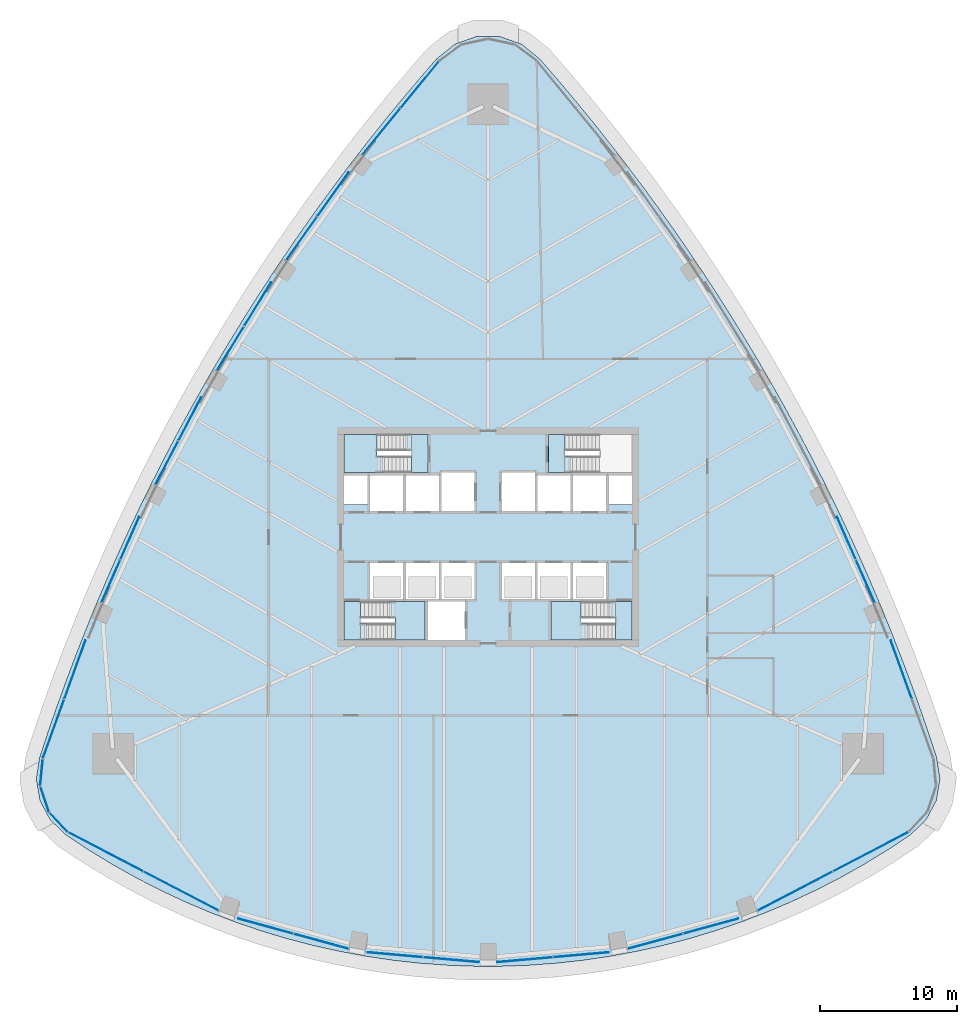
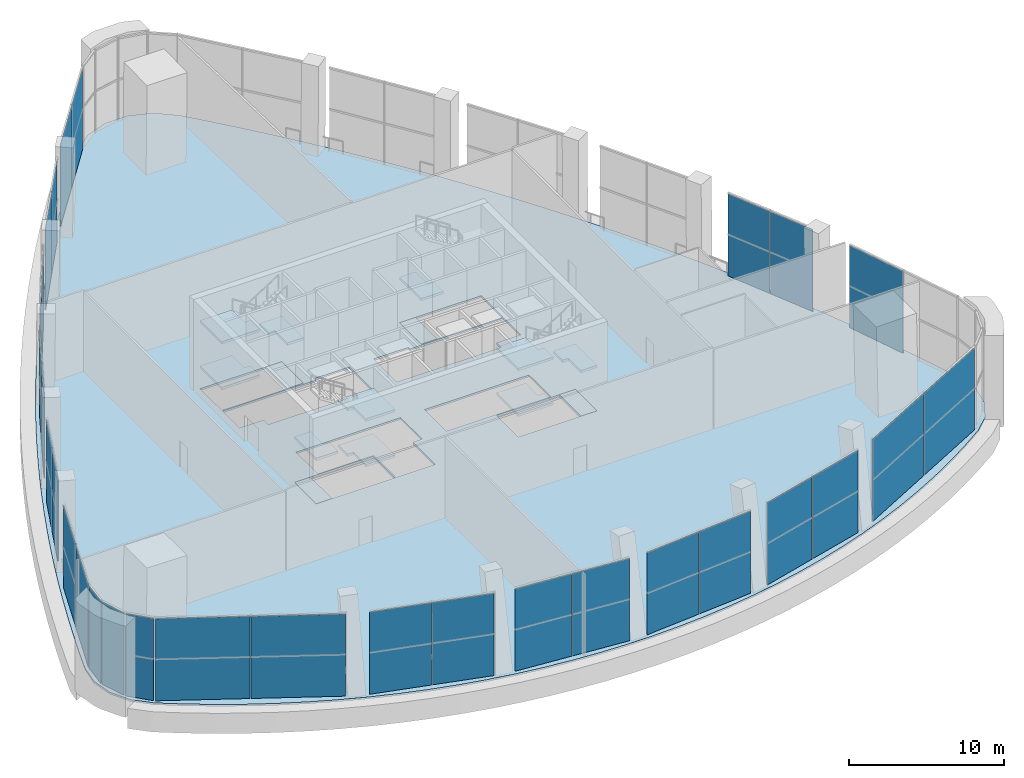
# One storey, part 11 of 23: 30 plates, 15 slabs, 21 elements without a shape of their own.
"""IFC4 building model written with IfcOpenShell, lengths in metres."""

from ifc_helpers import new_model, si_unit, direction, frame, origin, origin_2d, place, context, subcontext, project, spatial, polyline, rectangle, outline, extrude, material, layer, layer_set, type_object, element, aggregate, save


model = new_model("IFC4")

# Units and contexts
model_context = context("Model", 3, precision=1e-05, world=origin(), true_north=direction((0.0, 1.0)))
body_context = subcontext(model_context, "Body", "Model", "MODEL_VIEW")
ifc_project = project(units=[si_unit("LENGTHUNIT", "METRE"), si_unit("AREAUNIT", "SQUARE_METRE"), si_unit("VOLUMEUNIT", "CUBIC_METRE"), si_unit("PLANEANGLEUNIT", "RADIAN"), si_unit("MASSUNIT", "GRAM", prefix="KILO")], contexts=[model_context])

# Site, building, storey
site_placement = place(None, origin())
site = spatial("IfcSite", under=ifc_project, at=site_placement, CompositionType="ELEMENT")
building_placement = place(site_placement, origin())
building = spatial("IfcBuilding", under=site, at=building_placement, Name="Sierra Prisma Convention Tower", CompositionType="ELEMENT")
storey_placement = place(building_placement, frame((0.0, 0.0, 40.800048828125)))
storey = spatial("IfcBuildingStorey", under=building, at=storey_placement, Name="L06", CompositionType="ELEMENT", Elevation=40.800048828125)

# Curtain wall, plates
ifc_material_1 = material(Name="Aluminium and glass curtain wall", Category="aluminium")
ifc_layer_1 = layer(ifc_material_1, 0.179931640625)
ifc_layer_set_1 = layer_set([ifc_layer_1], Name="CW-4 Sky lobby double-height curtain wall")
curtain_wall_type = type_object("IfcCurtainWallType", Name="CW-4 Sky lobby double-height curtain wall", PredefinedType="NOTDEFINED", material=ifc_layer_set_1)
curtain_wall_1_placement = place(storey_placement, origin())
curtain_wall_1 = element("IfcCurtainWall", 1, at=curtain_wall_1_placement, inside=storey, type_object=curtain_wall_type, Name="CW-4 S1 L06", PredefinedType="NOTDEFINED")
ifc_material_2 = material(Name="Tinted glass bronze-grey IGU", Category="glass")
ifc_layer_2 = layer(ifc_material_2, 0.035888671875)
ifc_layer_set_2 = layer_set([ifc_layer_2], Name="CW-4 glass panel")
plate_type = type_object("IfcPlateType", Name="CW-4 glass panel", PredefinedType="CURTAIN_PANEL", material=ifc_layer_set_2)
plate_1_placement = place(storey_placement, frame((-27.876953125, -22.951416015625, 0.0), z_axis=(0.0, 0.0, 1.0), x_axis=(0.886801433205, -0.462150644342, 0.0)))
plate_1 = element("IfcPlate", 2, at=plate_1_placement, type_object=plate_type, Name="CW-4 panel S1.1", PredefinedType="CURTAIN_PANEL", context=body_context, shape_type="SweptSolid", body=[
    extrude(rectangle(XDim=6.1103515625, YDim=0.035888671875, at=origin_2d()), origin(), (0.0, 0.0, 1.0), 6.47998046875),
])
plate_2_placement = place(storey_placement, frame((-22.39599609375, -25.8076171875, 0.0), z_axis=(0.0, 0.0, 1.0), x_axis=(0.886801433205, -0.462150644342, 0.0)))
plate_2 = element("IfcPlate", 3, at=plate_2_placement, type_object=plate_type, Name="CW-4 panel S1.2", PredefinedType="CURTAIN_PANEL", context=body_context, shape_type="SweptSolid", body=[
    extrude(rectangle(XDim=6.1103515625, YDim=0.035888671875, at=origin_2d()), origin(), (0.0, 0.0, 1.0), 6.47998046875),
])
aggregate(curtain_wall_1, [plate_1, plate_2])

curtain_wall_2_placement = place(storey_placement, origin())
curtain_wall_2 = element("IfcCurtainWall", 4, at=curtain_wall_2_placement, inside=storey, type_object=curtain_wall_type, Name="CW-4 S2 L06", PredefinedType="NOTDEFINED")
plate_3_placement = place(storey_placement, frame((-16.235595703125, -28.364013671875, 0.0), z_axis=(0.0, 0.0, 1.0), x_axis=(0.96467129035, -0.263456451003, 0.0)))
plate_3 = element("IfcPlate", 5, at=plate_3_placement, type_object=plate_type, Name="CW-4 panel S2.1", PredefinedType="CURTAIN_PANEL", context=body_context, shape_type="SweptSolid", body=[
    extrude(rectangle(XDim=4.1279296875, YDim=0.035888671875, at=origin_2d()), origin(), (0.0, 0.0, 1.0), 6.47998046875),
])
plate_4_placement = place(storey_placement, frame((-12.18603515625, -29.469970703125, 0.0), z_axis=(0.0, 0.0, 1.0), x_axis=(0.96467129035, -0.263456451003, 0.0)))
plate_4 = element("IfcPlate", 6, at=plate_4_placement, type_object=plate_type, Name="CW-4 panel S2.2", PredefinedType="CURTAIN_PANEL", context=body_context, shape_type="SweptSolid", body=[
    extrude(rectangle(XDim=4.1279296875, YDim=0.035888671875, at=origin_2d()), origin(), (0.0, 0.0, 1.0), 6.47998046875),
])
aggregate(curtain_wall_2, [plate_3, plate_4])

curtain_wall_3_placement = place(storey_placement, origin())
curtain_wall_3 = element("IfcCurtainWall", 7, at=curtain_wall_3_placement, inside=storey, type_object=curtain_wall_type, Name="CW-4 S3 L06", PredefinedType="NOTDEFINED")
plate_5_placement = place(storey_placement, frame((-6.7763671875, -30.451904296875, 0.0), z_axis=(0.0, 0.0, 1.0), x_axis=(0.996127033281, -0.087925727556, 0.0)))
plate_5 = element("IfcPlate", 8, at=plate_5_placement, type_object=plate_type, Name="CW-4 panel S3.1", PredefinedType="CURTAIN_PANEL", context=body_context, shape_type="SweptSolid", body=[
    extrude(rectangle(XDim=4.041748046875, YDim=0.035888671875, at=origin_2d()), origin(), (0.0, 0.0, 1.0), 6.47998046875),
])
plate_6_placement = place(storey_placement, frame((-2.680419921875, -30.8134765625, 0.0), z_axis=(0.0, 0.0, 1.0), x_axis=(0.996127033281, -0.087925727556, 0.0)))
plate_6 = element("IfcPlate", 9, at=plate_6_placement, type_object=plate_type, Name="CW-4 panel S3.2", PredefinedType="CURTAIN_PANEL", context=body_context, shape_type="SweptSolid", body=[
    extrude(rectangle(XDim=4.041748046875, YDim=0.035888671875, at=origin_2d()), origin(), (0.0, 0.0, 1.0), 6.47998046875),
])
aggregate(curtain_wall_3, [plate_5, plate_6])

curtain_wall_4_placement = place(storey_placement, origin())
curtain_wall_4 = element("IfcCurtainWall", 10, at=curtain_wall_4_placement, inside=storey, type_object=curtain_wall_type, Name="CW-4 S4 L06", PredefinedType="NOTDEFINED")
plate_7_placement = place(storey_placement, frame((2.680419921875, -30.8134765625, 0.0), z_axis=(0.0, 0.0, 1.0), x_axis=(0.996127033281, 0.087925727556, 0.0)))
plate_7 = element("IfcPlate", 11, at=plate_7_placement, type_object=plate_type, Name="CW-4 panel S4.1", PredefinedType="CURTAIN_PANEL", context=body_context, shape_type="SweptSolid", body=[
    extrude(rectangle(XDim=4.041748046875, YDim=0.035888671875, at=origin_2d()), origin(), (0.0, 0.0, 1.0), 6.47998046875),
])
plate_8_placement = place(storey_placement, frame((6.7763671875, -30.451904296875, 0.0), z_axis=(0.0, 0.0, 1.0), x_axis=(0.996127033281, 0.087925727556, 0.0)))
plate_8 = element("IfcPlate", 12, at=plate_8_placement, type_object=plate_type, Name="CW-4 panel S4.2", PredefinedType="CURTAIN_PANEL", context=body_context, shape_type="SweptSolid", body=[
    extrude(rectangle(XDim=4.041748046875, YDim=0.035888671875, at=origin_2d()), origin(), (0.0, 0.0, 1.0), 6.47998046875),
])
aggregate(curtain_wall_4, [plate_7, plate_8])

curtain_wall_5_placement = place(storey_placement, origin())
curtain_wall_5 = element("IfcCurtainWall", 13, at=curtain_wall_5_placement, inside=storey, type_object=curtain_wall_type, Name="CW-4 S5 L06", PredefinedType="NOTDEFINED")
plate_9_placement = place(storey_placement, frame((12.18603515625, -29.469970703125, 0.0), z_axis=(0.0, 0.0, 1.0), x_axis=(0.96467129035, 0.263456451003, 0.0)))
plate_9 = element("IfcPlate", 14, at=plate_9_placement, type_object=plate_type, Name="CW-4 panel S5.1", PredefinedType="CURTAIN_PANEL", context=body_context, shape_type="SweptSolid", body=[
    extrude(rectangle(XDim=4.1279296875, YDim=0.035888671875, at=origin_2d()), origin(), (0.0, 0.0, 1.0), 6.47998046875),
])
plate_10_placement = place(storey_placement, frame((16.235595703125, -28.364013671875, 0.0), z_axis=(0.0, 0.0, 1.0), x_axis=(0.96467129035, 0.263456451003, 0.0)))
plate_10 = element("IfcPlate", 15, at=plate_10_placement, type_object=plate_type, Name="CW-4 panel S5.2", PredefinedType="CURTAIN_PANEL", context=body_context, shape_type="SweptSolid", body=[
    extrude(rectangle(XDim=4.1279296875, YDim=0.035888671875, at=origin_2d()), origin(), (0.0, 0.0, 1.0), 6.47998046875),
])
aggregate(curtain_wall_5, [plate_9, plate_10])

curtain_wall_6_placement = place(storey_placement, origin())
curtain_wall_6 = element("IfcCurtainWall", 16, at=curtain_wall_6_placement, inside=storey, type_object=curtain_wall_type, Name="CW-4 S6 L06", PredefinedType="NOTDEFINED")
plate_11_placement = place(storey_placement, frame((22.390869140625, -25.810302734375, 0.0), z_axis=(0.0, 0.0, 1.0), x_axis=(0.886801433205, 0.462150644342, 0.0)))
plate_11 = element("IfcPlate", 17, at=plate_11_placement, type_object=plate_type, Name="CW-4 panel S6.1", PredefinedType="CURTAIN_PANEL", context=body_context, shape_type="SweptSolid", body=[
    extrude(rectangle(XDim=6.1142578125, YDim=0.035888671875, at=origin_2d()), origin(), (0.0, 0.0, 1.0), 6.47998046875),
])
plate_12_placement = place(storey_placement, frame((27.875244140625, -22.9521484375, 0.0), z_axis=(0.0, 0.0, 1.0), x_axis=(0.886801433205, 0.462150644342, 0.0)))
plate_12 = element("IfcPlate", 18, at=plate_12_placement, type_object=plate_type, Name="CW-4 panel S6.2", PredefinedType="CURTAIN_PANEL", context=body_context, shape_type="SweptSolid", body=[
    extrude(rectangle(XDim=6.1142578125, YDim=0.035888671875, at=origin_2d()), origin(), (0.0, 0.0, 1.0), 6.47998046875),
])
aggregate(curtain_wall_6, [plate_11, plate_12])

# Curtain wall, plate
curtain_wall_7_placement = place(storey_placement, origin())
curtain_wall_7 = element("IfcCurtainWall", 19, at=curtain_wall_7_placement, inside=storey, type_object=curtain_wall_type, Name="CW-4 NE1 L06", PredefinedType="NOTDEFINED")
plate_13_placement = place(storey_placement, frame((30.12841796875, -9.6513671875, 0.0), z_axis=(0.0, 0.0, 1.0), x_axis=(-0.339853190115, 0.94047850011, 0.0)))
plate_13 = element("IfcPlate", 20, at=plate_13_placement, type_object=plate_type, Name="CW-4 panel NE1.2", PredefinedType="CURTAIN_PANEL", context=body_context, shape_type="SweptSolid", body=[
    extrude(rectangle(XDim=4.502685546875, YDim=0.035888671875, at=origin_2d()), origin(), (0.0, 0.0, 1.0), 6.47998046875),
])
aggregate(curtain_wall_7, [plate_13])

# Curtain wall, plates
curtain_wall_8_placement = place(storey_placement, origin())
curtain_wall_8 = element("IfcCurtainWall", 21, at=curtain_wall_8_placement, inside=storey, type_object=curtain_wall_type, Name="CW-4 NE2 L06", PredefinedType="NOTDEFINED")
plate_14_placement = place(storey_placement, frame((27.51171875, -3.21630859375, 0.0), z_axis=(0.0, 0.0, 1.0), x_axis=(-0.40298376544, 0.915207126716, 0.0)))
plate_14 = element("IfcPlate", 22, at=plate_14_placement, type_object=plate_type, Name="CW-4 panel NE2.1", PredefinedType="CURTAIN_PANEL", context=body_context, shape_type="SweptSolid", body=[
    extrude(rectangle(XDim=3.364013671875, YDim=0.035888671875, at=origin_2d()), origin(), (0.0, 0.0, 1.0), 6.47998046875),
])
plate_15_placement = place(storey_placement, frame((26.1279296875, -0.0732421875, 0.0), z_axis=(0.0, 0.0, 1.0), x_axis=(-0.40298376544, 0.915207126716, 0.0)))
plate_15 = element("IfcPlate", 23, at=plate_15_placement, type_object=plate_type, Name="CW-4 panel NE2.2", PredefinedType="CURTAIN_PANEL", context=body_context, shape_type="SweptSolid", body=[
    extrude(rectangle(XDim=3.364013671875, YDim=0.035888671875, at=origin_2d()), origin(), (0.0, 0.0, 1.0), 6.47998046875),
])
aggregate(curtain_wall_8, [plate_14, plate_15])

curtain_wall_9_placement = place(storey_placement, origin())
curtain_wall_9 = element("IfcCurtainWall", 24, at=curtain_wall_9_placement, inside=storey, type_object=curtain_wall_type, Name="CW-4 NW1 L06", PredefinedType="NOTDEFINED")
plate_16_placement = place(storey_placement, frame((-4.99169921875, 32.986572265625, 0.0), z_axis=(0.0, 0.0, 1.0), x_axis=(-0.634089483996, -0.773259675844, 0.0)))
plate_16 = element("IfcPlate", 25, at=plate_16_placement, type_object=plate_type, Name="CW-4 panel NW1.1", PredefinedType="CURTAIN_PANEL", context=body_context, shape_type="SweptSolid", body=[
    extrude(rectangle(XDim=4.348876953125, YDim=0.035888671875, at=origin_2d()), origin(), (0.0, 0.0, 1.0), 6.47998046875),
])
plate_17_placement = place(storey_placement, frame((-7.79345703125, 29.569580078125, 0.0), z_axis=(0.0, 0.0, 1.0), x_axis=(-0.634089483996, -0.773259675844, 0.0)))
plate_17 = element("IfcPlate", 26, at=plate_17_placement, type_object=plate_type, Name="CW-4 panel NW1.2", PredefinedType="CURTAIN_PANEL", context=body_context, shape_type="SweptSolid", body=[
    extrude(rectangle(XDim=4.348876953125, YDim=0.035888671875, at=origin_2d()), origin(), (0.0, 0.0, 1.0), 6.47998046875),
])
aggregate(curtain_wall_9, [plate_16, plate_17])

curtain_wall_10_placement = place(storey_placement, origin())
curtain_wall_10 = element("IfcCurtainWall", 27, at=curtain_wall_10_placement, inside=storey, type_object=curtain_wall_type, Name="CW-4 NW2 L06", PredefinedType="NOTDEFINED")
plate_18_placement = place(storey_placement, frame((-11.307861328125, 25.00390625, 0.0), z_axis=(0.0, 0.0, 1.0), x_axis=(-0.580071541824, -0.814565532272, 0.0)))
plate_18 = element("IfcPlate", 28, at=plate_18_placement, type_object=plate_type, Name="CW-4 panel NW2.1", PredefinedType="CURTAIN_PANEL", context=body_context, shape_type="SweptSolid", body=[
    extrude(rectangle(XDim=3.88525390625, YDim=0.035888671875, at=origin_2d()), origin(), (0.0, 0.0, 1.0), 6.47998046875),
])
plate_19_placement = place(storey_placement, frame((-13.60205078125, 21.7822265625, 0.0), z_axis=(0.0, 0.0, 1.0), x_axis=(-0.580071541824, -0.814565532272, 0.0)))
plate_19 = element("IfcPlate", 29, at=plate_19_placement, type_object=plate_type, Name="CW-4 panel NW2.2", PredefinedType="CURTAIN_PANEL", context=body_context, shape_type="SweptSolid", body=[
    extrude(rectangle(XDim=3.88525390625, YDim=0.035888671875, at=origin_2d()), origin(), (0.0, 0.0, 1.0), 6.47998046875),
])
aggregate(curtain_wall_10, [plate_18, plate_19])

curtain_wall_11_placement = place(storey_placement, origin())
curtain_wall_11 = element("IfcCurtainWall", 30, at=curtain_wall_11_placement, inside=storey, type_object=curtain_wall_type, Name="CW-4 NW3 L06", PredefinedType="NOTDEFINED")
plate_20_placement = place(storey_placement, frame((-16.810546875, 16.980224609375, 0.0), z_axis=(0.0, 0.0, 1.0), x_axis=(-0.523371283962, -0.852104746568, 0.0)))
plate_20 = element("IfcPlate", 31, at=plate_20_placement, type_object=plate_type, Name="CW-4 panel NW3.1", PredefinedType="CURTAIN_PANEL", context=body_context, shape_type="SweptSolid", body=[
    extrude(rectangle(XDim=3.721435546875, YDim=0.035888671875, at=origin_2d()), origin(), (0.0, 0.0, 1.0), 6.47998046875),
])
plate_21_placement = place(storey_placement, frame((-18.794921875, 13.74951171875, 0.0), z_axis=(0.0, 0.0, 1.0), x_axis=(-0.523371283962, -0.852104746568, 0.0)))
plate_21 = element("IfcPlate", 32, at=plate_21_placement, type_object=plate_type, Name="CW-4 panel NW3.2", PredefinedType="CURTAIN_PANEL", context=body_context, shape_type="SweptSolid", body=[
    extrude(rectangle(XDim=3.721435546875, YDim=0.035888671875, at=origin_2d()), origin(), (0.0, 0.0, 1.0), 6.47998046875),
])
aggregate(curtain_wall_11, [plate_20, plate_21])

curtain_wall_12_placement = place(storey_placement, origin())
curtain_wall_12 = element("IfcCurtainWall", 33, at=curtain_wall_12_placement, inside=storey, type_object=curtain_wall_type, Name="CW-4 NW4 L06", PredefinedType="NOTDEFINED")
plate_22_placement = place(storey_placement, frame((-21.75634765625, 8.611083984375, 0.0), z_axis=(0.0, 0.0, 1.0), x_axis=(-0.464250898742, -0.885703733207, 0.0)))
plate_22 = element("IfcPlate", 34, at=plate_22_placement, type_object=plate_type, Name="CW-4 panel NW4.1", PredefinedType="CURTAIN_PANEL", context=body_context, shape_type="SweptSolid", body=[
    extrude(rectangle(XDim=3.54150390625, YDim=0.035888671875, at=origin_2d()), origin(), (0.0, 0.0, 1.0), 6.47998046875),
])
plate_23_placement = place(storey_placement, frame((-23.432861328125, 5.41259765625, 0.0), z_axis=(0.0, 0.0, 1.0), x_axis=(-0.464250898742, -0.885703733207, 0.0)))
plate_23 = element("IfcPlate", 35, at=plate_23_placement, type_object=plate_type, Name="CW-4 panel NW4.2", PredefinedType="CURTAIN_PANEL", context=body_context, shape_type="SweptSolid", body=[
    extrude(rectangle(XDim=3.54150390625, YDim=0.035888671875, at=origin_2d()), origin(), (0.0, 0.0, 1.0), 6.47998046875),
])
aggregate(curtain_wall_12, [plate_22, plate_23])

curtain_wall_13_placement = place(storey_placement, origin())
curtain_wall_13 = element("IfcCurtainWall", 36, at=curtain_wall_13_placement, inside=storey, type_object=curtain_wall_type, Name="CW-4 NW5 L06", PredefinedType="NOTDEFINED")
plate_24_placement = place(storey_placement, frame((-26.12744140625, -0.072021484375, 0.0), z_axis=(0.0, 0.0, 1.0), x_axis=(-0.40298376544, -0.915207126716, 0.0)))
plate_24 = element("IfcPlate", 37, at=plate_24_placement, type_object=plate_type, Name="CW-4 panel NW5.1", PredefinedType="CURTAIN_PANEL", context=body_context, shape_type="SweptSolid", body=[
    extrude(rectangle(XDim=3.361572265625, YDim=0.035888671875, at=origin_2d()), origin(), (0.0, 0.0, 1.0), 6.47998046875),
])
plate_25_placement = place(storey_placement, frame((-27.51025390625, -3.212646484375, 0.0), z_axis=(0.0, 0.0, 1.0), x_axis=(-0.40298376544, -0.915207126716, 0.0)))
plate_25 = element("IfcPlate", 38, at=plate_25_placement, type_object=plate_type, Name="CW-4 panel NW5.2", PredefinedType="CURTAIN_PANEL", context=body_context, shape_type="SweptSolid", body=[
    extrude(rectangle(XDim=3.361572265625, YDim=0.035888671875, at=origin_2d()), origin(), (0.0, 0.0, 1.0), 6.47998046875),
])
aggregate(curtain_wall_13, [plate_24, plate_25])

curtain_wall_14_placement = place(storey_placement, origin())
curtain_wall_14 = element("IfcCurtainWall", 39, at=curtain_wall_14_placement, inside=storey, type_object=curtain_wall_type, Name="CW-4 NW6 L06", PredefinedType="NOTDEFINED")
plate_26_placement = place(storey_placement, frame((-30.12841796875, -9.6513671875, 0.0), z_axis=(0.0, 0.0, 1.0), x_axis=(-0.339853190115, -0.94047850011, 0.0)))
plate_26 = element("IfcPlate", 40, at=plate_26_placement, type_object=plate_type, Name="CW-4 panel NW6.1", PredefinedType="CURTAIN_PANEL", context=body_context, shape_type="SweptSolid", body=[
    extrude(rectangle(XDim=4.502685546875, YDim=0.035888671875, at=origin_2d()), origin(), (0.0, 0.0, 1.0), 6.47998046875),
])
plate_27_placement = place(storey_placement, frame((-31.682373046875, -13.951904296875, 0.0), z_axis=(0.0, 0.0, 1.0), x_axis=(-0.339853190115, -0.94047850011, 0.0)))
plate_27 = element("IfcPlate", 41, at=plate_27_placement, type_object=plate_type, Name="CW-4 panel NW6.2", PredefinedType="CURTAIN_PANEL", context=body_context, shape_type="SweptSolid", body=[
    extrude(rectangle(XDim=4.502685546875, YDim=0.035888671875, at=origin_2d()), origin(), (0.0, 0.0, 1.0), 6.47998046875),
])
aggregate(curtain_wall_14, [plate_26, plate_27])

# Curtain wall, plate
curtain_wall_15_placement = place(storey_placement, origin())
curtain_wall_15 = element("IfcCurtainWall", 42, at=curtain_wall_15_placement, inside=storey, type_object=curtain_wall_type, Name="CW-4 SW1 L06", PredefinedType="NOTDEFINED")
plate_28_placement = place(storey_placement, frame((-32.5712890625, -17.1357421875, 0.0), z_axis=(0.0, 0.0, 1.0), x_axis=(-0.099283218322, -0.995059215605, 0.0)))
plate_28 = element("IfcPlate", 43, at=plate_28_placement, type_object=plate_type, Name="CW-4 panel SW1.1", PredefinedType="CURTAIN_PANEL", context=body_context, shape_type="SweptSolid", body=[
    extrude(rectangle(XDim=1.87109375, YDim=0.035888671875, at=origin_2d()), origin(), (0.0, 0.0, 1.0), 6.47998046875),
])
aggregate(curtain_wall_15, [plate_28])

curtain_wall_16_placement = place(storey_placement, origin())
curtain_wall_16 = element("IfcCurtainWall", 44, at=curtain_wall_16_placement, inside=storey, type_object=curtain_wall_type, Name="CW-4 SW2 L06", PredefinedType="NOTDEFINED")
plate_29_placement = place(storey_placement, frame((-32.347900390625, -19.088623046875, 0.0), z_axis=(0.0, 0.0, 1.0), x_axis=(0.321361109945, -0.94695672394, 0.0)))
plate_29 = element("IfcPlate", 45, at=plate_29_placement, type_object=plate_type, Name="CW-4 panel SW2.1", PredefinedType="CURTAIN_PANEL", context=body_context, shape_type="SweptSolid", body=[
    extrude(rectangle(XDim=1.87109375, YDim=0.035888671875, at=origin_2d()), origin(), (0.0, 0.0, 1.0), 6.47998046875),
])
aggregate(curtain_wall_16, [plate_29])

curtain_wall_17_placement = place(storey_placement, origin())
curtain_wall_17 = element("IfcCurtainWall", 46, at=curtain_wall_17_placement, inside=storey, type_object=curtain_wall_type, Name="CW-4 SW3 L06", PredefinedType="NOTDEFINED")
plate_30_placement = place(storey_placement, frame((-31.33642578125, -20.77392578125, 0.0), z_axis=(0.0, 0.0, 1.0), x_axis=(0.684399691573, -0.729107030671, 0.0)))
plate_30 = element("IfcPlate", 47, at=plate_30_placement, type_object=plate_type, Name="CW-4 panel SW3.1", PredefinedType="CURTAIN_PANEL", context=body_context, shape_type="SweptSolid", body=[
    extrude(rectangle(XDim=1.87109375, YDim=0.035888671875, at=origin_2d()), origin(), (0.0, 0.0, 1.0), 6.47998046875),
])
aggregate(curtain_wall_17, [plate_30])

# Slab
ifc_material_3 = material(Name="Concrete C35/45", Category="concrete")
ifc_layer_3 = layer(ifc_material_3, 0.14990234375)
ifc_layer_set_3 = layer_set([ifc_layer_3], Name="Composite floor slab 150")
slab_type_1 = type_object("IfcSlabType", Name="Composite floor slab 150", PredefinedType="FLOOR", material=ifc_layer_set_3)
slab_1_placement = place(storey_placement, frame((0.0, 0.0, -0.150146484375)))
element("IfcSlab", 48, at=slab_1_placement, inside=storey, type_object=slab_type_1, Name="Floor slab L06 floor", PredefinedType="FLOOR", context=body_context, shape_type="SweptSolid", body=[
    extrude(outline(polyline([(-30.790283203125, -21.712890625), (-29.136474609375, -22.809326171875), (-27.443359375, -23.844482421875), (-25.7138671875, -24.817138671875), (-23.94970703125, -25.725830078125), (-22.153564453125, -26.5693359375), (-20.327880859375, -27.346435546875), (-18.474853515625, -28.056396484375), (-16.59716796875, -28.697998046875), (-14.697265625, -29.270751953125), (-12.777587890625, -29.7734375), (-10.8408203125, -30.20556640625), (-8.8896484375, -30.56640625), (-6.926513671875, -30.85595703125), (-4.9541015625, -31.0732421875), (-2.97509765625, -31.21826171875), (-0.9921875, -31.291015625), (0.9921875, -31.291015625), (2.97509765625, -31.21826171875), (4.9541015625, -31.0732421875), (6.926513671875, -30.85595703125), (8.8896484375, -30.56640625), (10.8408203125, -30.20556640625), (12.777587890625, -29.7734375), (14.697265625, -29.270751953125), (16.59716796875, -28.697998046875), (18.474853515625, -28.056396484375), (20.327880859375, -27.346435546875), (22.153564453125, -26.5693359375), (23.94970703125, -25.725830078125), (25.7138671875, -24.817138671875), (27.443359375, -23.844482421875), (29.136474609375, -22.809326171875), (30.790283203125, -21.712890625), (31.94091796875, -20.611083984375), (32.6865234375, -19.203369140625), (32.95166015625, -17.6328125), (32.709228515625, -16.058349609375), (32.09130859375, -14.19091796875), (31.4482421875, -12.332275390625), (30.77978515625, -10.482421875), (30.086181640625, -8.641845703125), (29.36767578125, -6.81103515625), (28.624267578125, -4.989990234375), (27.856201171875, -3.179443359375), (27.063720703125, -1.379150390625), (26.24658203125, 0.409912109375), (25.4052734375, 2.187744140625), (24.539794921875, 3.9541015625), (23.650634765625, 5.708251953125), (22.737548828125, 7.450439453125), (21.80078125, 9.179931640625), (20.840576171875, 10.896484375), (19.857177734375, 12.599853515625), (18.8505859375, 14.28955078125), (17.8212890625, 15.965576171875), (16.76904296875, 17.62744140625), (15.694580078125, 19.274658203125), (14.59765625, 20.9072265625), (13.478515625, 22.52490234375), (12.337646484375, 24.126953125), (11.175048828125, 25.71337890625), (9.990966796875, 27.283935546875), (8.78564453125, 28.838134765625), (7.559326171875, 30.3759765625), (6.31201171875, 31.896728515625), (5.04443359375, 33.400634765625), (3.75634765625, 34.886962890625), (2.440673828125, 35.95068359375), (0.845947265625, 36.514892578125), (-0.845947265625, 36.514892578125), (-2.440673828125, 35.95068359375), (-3.75634765625, 34.886962890625), (-5.04443359375, 33.400634765625), (-6.31201171875, 31.896728515625), (-7.559326171875, 30.3759765625), (-8.78564453125, 28.838134765625), (-9.990966796875, 27.283935546875), (-11.175048828125, 25.71337890625), (-12.337646484375, 24.126953125), (-13.478515625, 22.52490234375), (-14.59765625, 20.9072265625), (-15.694580078125, 19.274658203125), (-16.76904296875, 17.62744140625), (-17.8212890625, 15.965576171875), (-18.8505859375, 14.28955078125), (-19.857177734375, 12.599853515625), (-20.840576171875, 10.896484375), (-21.80078125, 9.179931640625), (-22.737548828125, 7.450439453125), (-23.650634765625, 5.708251953125), (-24.539794921875, 3.9541015625), (-25.4052734375, 2.187744140625), (-26.24658203125, 0.409912109375), (-27.063720703125, -1.379150390625), (-27.856201171875, -3.179443359375), (-28.624267578125, -4.989990234375), (-29.36767578125, -6.81103515625), (-30.086181640625, -8.641845703125), (-30.77978515625, -10.482421875), (-31.4482421875, -12.332275390625), (-32.09130859375, -14.19091796875), (-32.709228515625, -16.058349609375), (-32.95166015625, -17.6328125), (-32.6865234375, -19.203369140625), (-31.94091796875, -20.611083984375), (-30.790283203125, -21.712890625)]), holes=[polyline([(-4.60009765625, -7.5), (-10.5, -7.5), (-10.5, -4.699951171875), (-4.60009765625, -4.699951171875), (-4.60009765625, -7.5)]), polyline([(-8.699951171875, -4.60009765625), (-8.699951171875, -1.800048828125), (-6.10009765625, -1.800048828125), (-3.5, -1.800048828125), (-0.89990234375, -1.800048828125), (-0.89990234375, -4.60009765625), (-1.60009765625, -4.60009765625), (-1.60009765625, -7.5), (-4.5, -7.5), (-4.5, -4.60009765625), (-6.10009765625, -4.60009765625), (-8.699951171875, -4.60009765625)]), polyline([(-10.5, 4.60009765625), (-8.699951171875, 4.60009765625), (-6.10009765625, 4.60009765625), (-3.5, 4.60009765625), (-3.5, 4.800048828125), (-0.89990234375, 4.800048828125), (-0.89990234375, 1.800048828125), (-3.5, 1.800048828125), (-6.10009765625, 1.800048828125), (-8.699951171875, 1.800048828125), (-8.699951171875, 2.39990234375), (-10.5, 2.39990234375), (-10.5, 4.60009765625)]), polyline([(-4.39990234375, 4.699951171875), (-10.5, 4.699951171875), (-10.5, 7.5), (-4.39990234375, 7.5), (-4.39990234375, 4.699951171875)]), polyline([(10.5, -7.5), (4.60009765625, -7.5), (4.60009765625, -4.699951171875), (10.5, -4.699951171875), (10.5, -7.5)]), polyline([(6.10009765625, -1.800048828125), (8.699951171875, -1.800048828125), (8.699951171875, -4.60009765625), (6.10009765625, -4.60009765625), (3.5, -4.60009765625), (0.89990234375, -4.60009765625), (0.89990234375, -1.800048828125), (3.5, -1.800048828125), (6.10009765625, -1.800048828125)]), polyline([(10.5, 4.60009765625), (10.5, 2.39990234375), (8.699951171875, 2.39990234375), (8.699951171875, 1.800048828125), (6.10009765625, 1.800048828125), (3.5, 1.800048828125), (0.89990234375, 1.800048828125), (0.89990234375, 4.800048828125), (3.5, 4.800048828125), (3.5, 4.60009765625), (6.10009765625, 4.60009765625), (8.699951171875, 4.60009765625), (10.5, 4.60009765625)]), polyline([(4.39990234375, 4.699951171875), (4.39990234375, 7.5), (10.5, 7.5), (10.5, 4.699951171875), (4.39990234375, 4.699951171875)])]), origin(), (0.0, 0.0, 1.0), 0.150146484375),
])

# Stair, slabs
ifc_material_4 = material(Name="Concrete C30/37", Category="concrete")
stair_type = type_object("IfcStairType", Name="Stair dog-leg 1200 RC", PredefinedType="HALF_TURN_STAIR", material=ifc_material_4)
stair_1_placement = place(storey_placement, origin())
stair_1 = element("IfcStair", 49, at=stair_1_placement, inside=storey, type_object=stair_type, Name="L06 S1", PredefinedType="HALF_TURN_STAIR")
ifc_material_5 = material(Name="Concrete C35/45", Category="concrete")
ifc_layer_4 = layer(ifc_material_5, 0.199951171875)
ifc_layer_set_4 = layer_set([ifc_layer_4], Name="Stair landing slab")
slab_type_2 = type_object("IfcSlabType", Name="Stair landing slab", PredefinedType="LANDING", material=ifc_layer_set_4)
slab_2_placement = place(storey_placement, frame((0.0, 0.0, 1.599853515625)))
slab_2 = element("IfcSlab", 50, at=slab_2_placement, type_object=slab_type_2, Name="S1 landing 1", PredefinedType="LANDING", context=body_context, shape_type="SweptSolid", body=[
    extrude(outline(polyline([(-4.60009765625, -4.699951171875), (-4.60009765625, -7.5), (-6.781982421875, -7.5), (-6.781982421875, -5.89990234375), (-7.22998046875, -5.89990234375), (-7.22998046875, -4.699951171875), (-4.60009765625, -4.699951171875)])), origin(), (0.0, 0.0, 1.0), 0.2001953125),
])
slab_3_placement = place(storey_placement, frame((0.0, 0.0, 3.39990234375)))
slab_3 = element("IfcSlab", 51, at=slab_3_placement, type_object=slab_type_2, Name="S1 landing 2", PredefinedType="LANDING", context=body_context, shape_type="SweptSolid", body=[
    extrude(outline(polyline([(-10.5, -7.5), (-10.5, -4.699951171875), (-9.298095703125, -4.699951171875), (-9.298095703125, -6.300048828125), (-8.85009765625, -6.300048828125), (-8.85009765625, -7.5), (-10.5, -7.5)])), origin(), (0.0, 0.0, 1.0), 0.199951171875),
])
slab_4_placement = place(storey_placement, frame((0.0, 0.0, 5.199951171875)))
slab_4 = element("IfcSlab", 52, at=slab_4_placement, type_object=slab_type_2, Name="S1 landing 3", PredefinedType="LANDING", context=body_context, shape_type="SweptSolid", body=[
    extrude(outline(polyline([(-4.60009765625, -4.699951171875), (-4.60009765625, -7.5), (-6.781982421875, -7.5), (-6.781982421875, -5.89990234375), (-7.22998046875, -5.89990234375), (-7.22998046875, -4.699951171875), (-4.60009765625, -4.699951171875)])), origin(), (0.0, 0.0, 1.0), 0.199951171875),
])
aggregate(stair_1, [slab_2, slab_3, slab_4])

# Slab
slab_5_placement = place(storey_placement, frame((0.0, 0.0, -0.199951171875)))
element("IfcSlab", 53, at=slab_5_placement, inside=storey, type_object=slab_type_2, Name="S1 floor landing L06", PredefinedType="LANDING", context=body_context, shape_type="SweptSolid", body=[
    extrude(outline(polyline([(-10.5, -7.5), (-9.298095703125, -7.5), (-9.298095703125, -4.699951171875), (-10.5, -4.699951171875), (-10.5, -7.5)])), origin(), (0.0, 0.0, 1.0), 0.199951171875),
])

# Stair, slabs
stair_2_placement = place(storey_placement, origin())
stair_2 = element("IfcStair", 54, at=stair_2_placement, inside=storey, type_object=stair_type, Name="L06 S2", PredefinedType="HALF_TURN_STAIR")
slab_6_placement = place(storey_placement, frame((0.0, 0.0, 1.599853515625)))
slab_6 = element("IfcSlab", 55, at=slab_6_placement, type_object=slab_type_2, Name="S2 landing 1", PredefinedType="LANDING", context=body_context, shape_type="SweptSolid", body=[
    extrude(outline(polyline([(7.22998046875, -6.300048828125), (7.22998046875, -7.5), (4.60009765625, -7.5), (4.60009765625, -4.699951171875), (6.781982421875, -4.699951171875), (6.781982421875, -6.300048828125), (7.22998046875, -6.300048828125)])), origin(), (0.0, 0.0, 1.0), 0.2001953125),
])
slab_7_placement = place(storey_placement, frame((0.0, 0.0, 3.39990234375)))
slab_7 = element("IfcSlab", 56, at=slab_7_placement, type_object=slab_type_2, Name="S2 landing 2", PredefinedType="LANDING", context=body_context, shape_type="SweptSolid", body=[
    extrude(outline(polyline([(10.5, -4.699951171875), (10.5, -7.5), (9.298095703125, -7.5), (9.298095703125, -5.89990234375), (8.85009765625, -5.89990234375), (8.85009765625, -4.699951171875), (10.5, -4.699951171875)])), origin(), (0.0, 0.0, 1.0), 0.199951171875),
])
slab_8_placement = place(storey_placement, frame((0.0, 0.0, 5.199951171875)))
slab_8 = element("IfcSlab", 57, at=slab_8_placement, type_object=slab_type_2, Name="S2 landing 3", PredefinedType="LANDING", context=body_context, shape_type="SweptSolid", body=[
    extrude(outline(polyline([(7.22998046875, -6.300048828125), (7.22998046875, -7.5), (4.60009765625, -7.5), (4.60009765625, -4.699951171875), (6.781982421875, -4.699951171875), (6.781982421875, -6.300048828125), (7.22998046875, -6.300048828125)])), origin(), (0.0, 0.0, 1.0), 0.199951171875),
])
aggregate(stair_2, [slab_6, slab_7, slab_8])

# Slab
slab_9_placement = place(storey_placement, frame((0.0, 0.0, -0.199951171875)))
element("IfcSlab", 58, at=slab_9_placement, inside=storey, type_object=slab_type_2, Name="S2 floor landing L06", PredefinedType="LANDING", context=body_context, shape_type="SweptSolid", body=[
    extrude(outline(polyline([(10.5, -4.699951171875), (9.298095703125, -4.699951171875), (9.298095703125, -7.5), (10.5, -7.5), (10.5, -4.699951171875)])), origin(), (0.0, 0.0, 1.0), 0.199951171875),
])

# Stair, slabs
stair_3_placement = place(storey_placement, origin())
stair_3 = element("IfcStair", 59, at=stair_3_placement, inside=storey, type_object=stair_type, Name="L06 S3", PredefinedType="HALF_TURN_STAIR")
slab_10_placement = place(storey_placement, frame((0.0, 0.0, 1.599853515625)))
slab_10 = element("IfcSlab", 60, at=slab_10_placement, type_object=slab_type_2, Name="S3 landing 1", PredefinedType="LANDING", context=body_context, shape_type="SweptSolid", body=[
    extrude(outline(polyline([(-7.669921875, 5.89990234375), (-7.669921875, 4.699951171875), (-10.5, 4.699951171875), (-10.5, 7.5), (-8.117919921875, 7.5), (-8.117919921875, 5.89990234375), (-7.669921875, 5.89990234375)])), origin(), (0.0, 0.0, 1.0), 0.2001953125),
])
slab_11_placement = place(storey_placement, frame((0.0, 0.0, 3.39990234375)))
slab_11 = element("IfcSlab", 61, at=slab_11_placement, type_object=slab_type_2, Name="S3 landing 2", PredefinedType="LANDING", context=body_context, shape_type="SweptSolid", body=[
    extrude(outline(polyline([(-4.39990234375, 7.5), (-4.39990234375, 4.699951171875), (-5.60205078125, 4.699951171875), (-5.60205078125, 6.300048828125), (-6.050048828125, 6.300048828125), (-6.050048828125, 7.5), (-4.39990234375, 7.5)])), origin(), (0.0, 0.0, 1.0), 0.199951171875),
])
slab_12_placement = place(storey_placement, frame((0.0, 0.0, 5.199951171875)))
slab_12 = element("IfcSlab", 62, at=slab_12_placement, type_object=slab_type_2, Name="S3 landing 3", PredefinedType="LANDING", context=body_context, shape_type="SweptSolid", body=[
    extrude(outline(polyline([(-7.669921875, 5.89990234375), (-7.669921875, 4.699951171875), (-10.5, 4.699951171875), (-10.5, 7.5), (-8.117919921875, 7.5), (-8.117919921875, 5.89990234375), (-7.669921875, 5.89990234375)])), origin(), (0.0, 0.0, 1.0), 0.199951171875),
])
aggregate(stair_3, [slab_10, slab_11, slab_12])

# Slab
slab_13_placement = place(storey_placement, frame((0.0, 0.0, -0.199951171875)))
element("IfcSlab", 63, at=slab_13_placement, inside=storey, type_object=slab_type_2, Name="S3 floor landing L06", PredefinedType="LANDING", context=body_context, shape_type="SweptSolid", body=[
    extrude(outline(polyline([(-4.39990234375, 7.5), (-5.60205078125, 7.5), (-5.60205078125, 4.699951171875), (-4.39990234375, 4.699951171875), (-4.39990234375, 7.5)])), origin(), (0.0, 0.0, 1.0), 0.199951171875),
])

# Stair, slab
stair_4_placement = place(storey_placement, origin())
stair_4 = element("IfcStair", 64, at=stair_4_placement, inside=storey, type_object=stair_type, Name="L06 S4", PredefinedType="HALF_TURN_STAIR")
slab_14_placement = place(storey_placement, frame((0.0, 0.0, 3.39990234375)))
slab_14 = element("IfcSlab", 65, at=slab_14_placement, type_object=slab_type_2, Name="S4 landing 2", PredefinedType="LANDING", context=body_context, shape_type="SweptSolid", body=[
    extrude(outline(polyline([(4.39990234375, 4.699951171875), (4.39990234375, 7.5), (5.60205078125, 7.5), (5.60205078125, 5.89990234375), (6.050048828125, 5.89990234375), (6.050048828125, 4.699951171875), (4.39990234375, 4.699951171875)])), origin(), (0.0, 0.0, 1.0), 0.199951171875),
])
aggregate(stair_4, [slab_14])

# Slab
slab_15_placement = place(storey_placement, frame((0.0, 0.0, -0.199951171875)))
element("IfcSlab", 66, at=slab_15_placement, inside=storey, type_object=slab_type_2, Name="S4 floor landing L06", PredefinedType="LANDING", context=body_context, shape_type="SweptSolid", body=[
    extrude(outline(polyline([(4.39990234375, 4.699951171875), (5.60205078125, 4.699951171875), (5.60205078125, 7.5), (4.39990234375, 7.5), (4.39990234375, 4.699951171875)])), origin(), (0.0, 0.0, 1.0), 0.199951171875),
])

save(model, "model.ifc")
